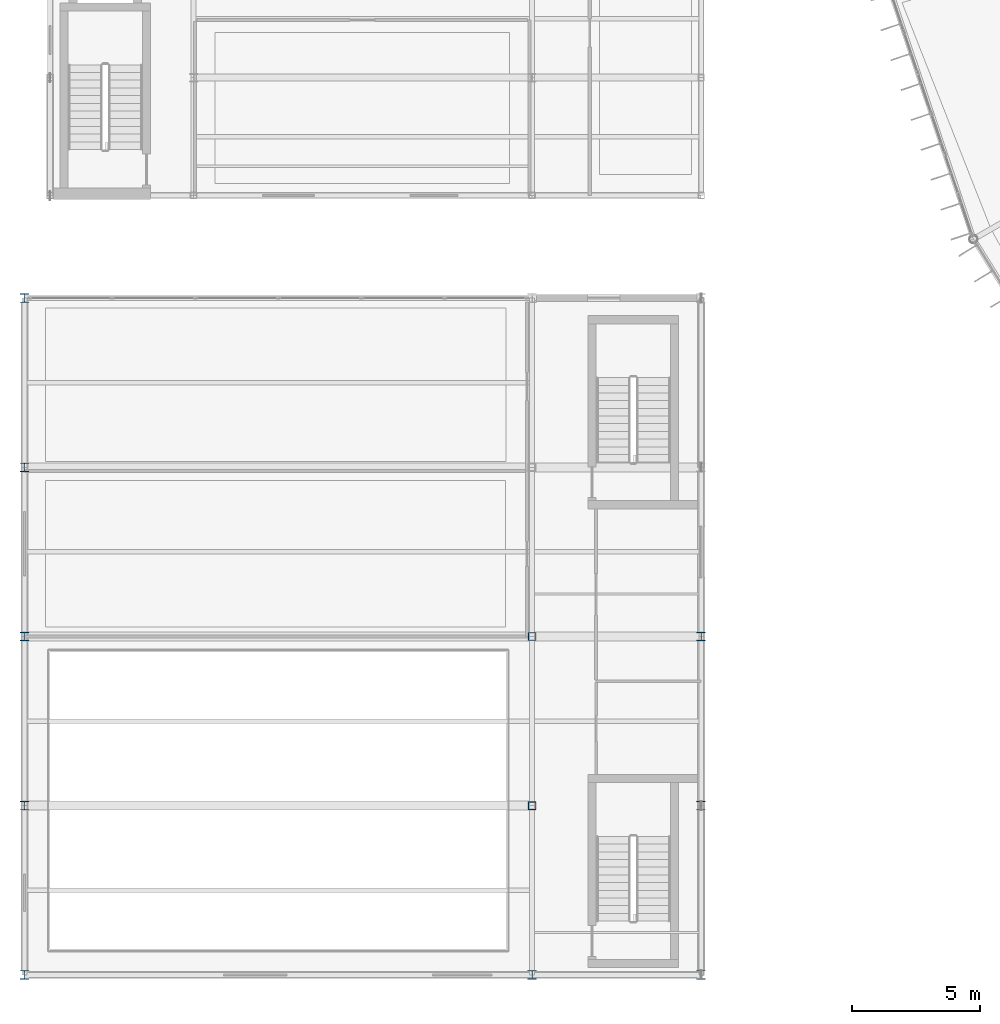
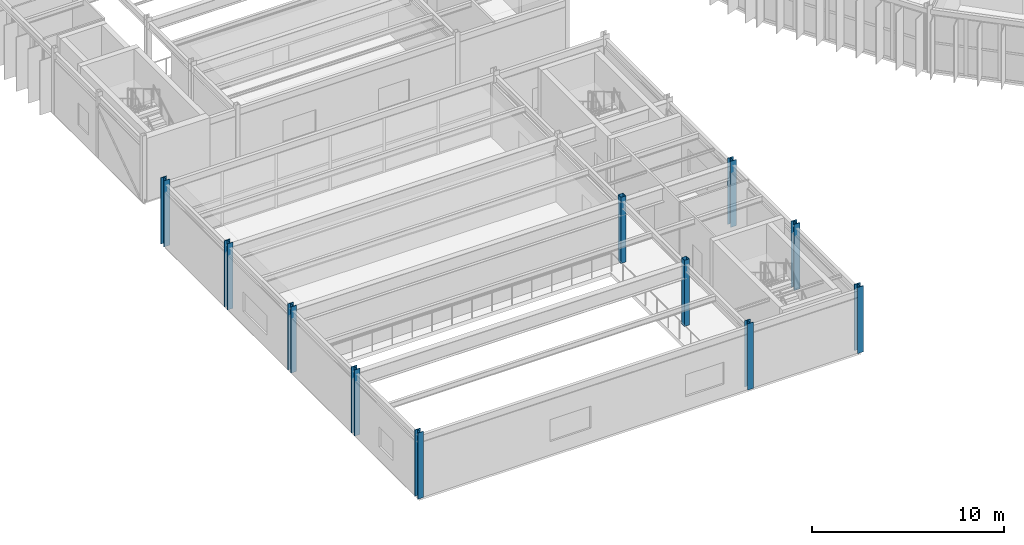
# One storey, part 1 of 148: 11 columns.
"""IFC4 building model written with IfcOpenShell, lengths in metres."""

from ifc_helpers import new_model, si_unit, direction, frame, origin, origin_2d, place, context, subcontext, project, spatial, hollow_rectangle, i_section, extrude, material, material_profile, profile_set, type_object, element, save


model = new_model("IFC4")

# Units and contexts
model_context = context("Model", 3, precision=1e-05, world=origin(), true_north=direction((0.0, 1.0)))
body_context = subcontext(model_context, "Body", "Model", "MODEL_VIEW")
ifc_project = project(units=[si_unit("LENGTHUNIT", "METRE"), si_unit("AREAUNIT", "SQUARE_METRE"), si_unit("VOLUMEUNIT", "CUBIC_METRE"), si_unit("PLANEANGLEUNIT", "RADIAN"), si_unit("MASSUNIT", "GRAM", prefix="KILO")], contexts=[model_context])

# Site, building, storey
site_placement = place(None, origin())
site = spatial("IfcSite", under=ifc_project, at=site_placement, CompositionType="ELEMENT")
building_placement = place(site_placement, origin())
building = spatial("IfcBuilding", under=site, at=building_placement, Name="Karori Crest Natural Sciences Institute", CompositionType="ELEMENT")
storey_placement = place(building_placement, frame((0.0, 0.0, 4.89990234375)))
storey = spatial("IfcBuildingStorey", under=building, at=storey_placement, Name="L01", CompositionType="ELEMENT", Elevation=4.89990234375)

# Columns
ifc_material_1 = material(Name="Structural steel AS/NZS 3679.1 Grade 350", Category="steel")
ifc_material_profile_1 = material_profile(ifc_material_1, i_section(OverallWidth=0.35009765625, OverallDepth=0.35009765625, WebThickness=0.02001953125, FlangeThickness=0.031982421875, FilletRadius=0.01611328125, at=origin_2d()), Name="350WC280")
ifc_profile_set_1 = profile_set([ifc_material_profile_1], Name="Structural steel AS/NZS 3679.1 Grade 350")
column_type_1 = type_object("IfcColumnType", Name="CT-03-EL", PredefinedType="COLUMN", material=ifc_profile_set_1)
for number, where, z_axis, x_axis, name in (
    (1, (0.800048828125, 0.800048828125, 0.0), (0.0, 0.0, 1.0), (1.0, 0.0, 0.0), "Column C-0471"),
    (2, (0.800048828125, 7.39990234375, 0.0), (0.0, 0.0, 1.0), (1.0, 0.0, 0.0), "Column C-0475"),
    (3, (0.800048828125, 14.0, 0.0), (0.0, 0.0, 1.0), (1.0, 0.0, 0.0), "Column C-0479"),
    (4, (0.800048828125, 20.60009765625, 0.0), (0.0, 0.0, 1.0), (1.0, 0.0, 0.0), "Column C-0483"),
    (5, (0.800048828125, 27.199951171875, 0.0), (0.0, 0.0, 1.0), (1.0, 0.0, 0.0), "Column C-0487"),
    (6, (20.60009765625, 0.800048828125, 0.0), (0.0, 0.0, 1.0), (1.0, 0.0, 0.0), "Column C-0491"),
    (7, (27.199951171875, 0.800048828125, 0.0), (0.0, 0.0, 1.0), (1.0, 0.0, 0.0), "Column C-0511"),
    (8, (27.199951171875, 7.39990234375, 0.0), (0.0, 0.0, 1.0), (1.0, 0.0, 0.0), "Column C-0515"),
    (9, (27.199951171875, 14.0, 0.0), (0.0, 0.0, 1.0), (1.0, 0.0, 0.0), "Column C-0519"),
):
    element("IfcColumn", number, at=place(storey_placement, frame(where, z_axis=z_axis, x_axis=x_axis)), inside=storey, type_object=column_type_1, Name=name, PredefinedType="COLUMN", context=body_context, shape_type="SweptSolid", body=[
        extrude(i_section(OverallWidth=0.35009765625, OverallDepth=0.35009765625, WebThickness=0.02001953125, FlangeThickness=0.031982421875, FilletRadius=0.01611328125, at=origin_2d()), origin(), (0.0, 0.0, 1.0), 4.2001953125),
    ])
ifc_material_2 = material(Name="Hollow structural steel AS/NZS 1163 Grade C350", Category="steel")
ifc_material_profile_2 = material_profile(ifc_material_2, hollow_rectangle(XDim=0.300048828125, YDim=0.300048828125, WallThickness=0.012451171875, at=origin_2d()), Name="SHS300x300x12.5")
ifc_profile_set_2 = profile_set([ifc_material_profile_2], Name="Hollow structural steel AS/NZS 1163 Grade C350")
column_type_2 = type_object("IfcColumnType", Name="CT-11", PredefinedType="COLUMN", material=ifc_profile_set_2)
for number, where, z_axis, x_axis, name in (
    (10, (20.60009765625, 7.39990234375, 0.0), (0.0, 0.0, 1.0), (1.0, 0.0, 0.0), "Column C-0495"),
    (11, (20.60009765625, 14.0, 0.0), (0.0, 0.0, 1.0), (1.0, 0.0, 0.0), "Column C-0499"),
):
    element("IfcColumn", number, at=place(storey_placement, frame(where, z_axis=z_axis, x_axis=x_axis)), inside=storey, type_object=column_type_2, Name=name, PredefinedType="COLUMN", context=body_context, shape_type="SweptSolid", body=[
        extrude(hollow_rectangle(XDim=0.300048828125, YDim=0.300048828125, WallThickness=0.012451171875, at=origin_2d()), origin(), (0.0, 0.0, 1.0), 4.2001953125),
    ])

save(model, "model.ifc")
